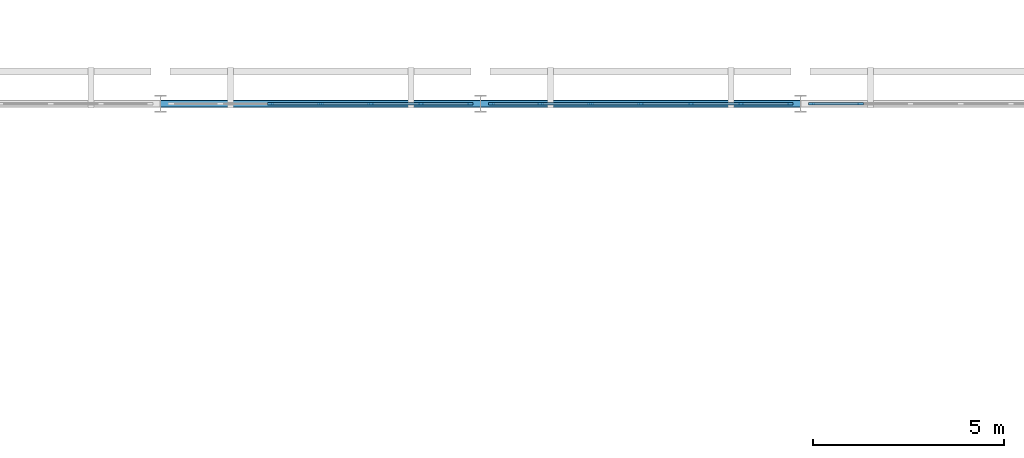
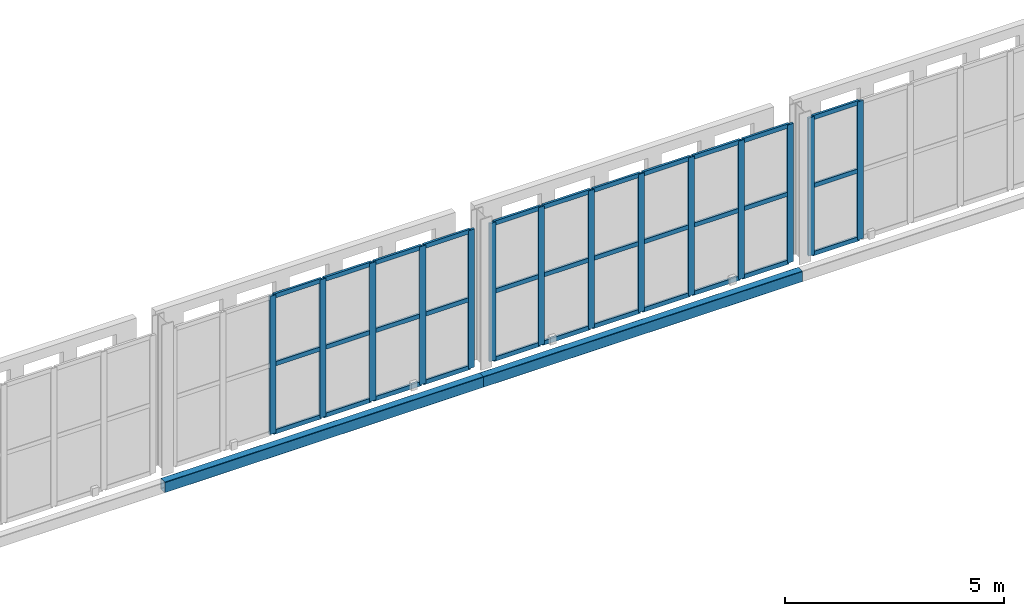
# One storey, part 62 of 140: 47 members, 2 beams, 3 elements without a shape of their own.
"""IFC4 building model written with IfcOpenShell, lengths in metres."""

from ifc_helpers import new_model, si_unit, direction, frame, origin, origin_2d, place, context, subcontext, project, spatial, rectangle, hollow_rectangle, extrude, material, layer, layer_set, material_profile, profile_set, type_object, element, aggregate, save


model = new_model("IFC4")

# Units and contexts
model_context = context("Model", 3, precision=1e-05, world=origin(), true_north=direction((0.0, 1.0)))
body_context = subcontext(model_context, "Body", "Model", "MODEL_VIEW")
ifc_project = project(units=[si_unit("LENGTHUNIT", "METRE"), si_unit("AREAUNIT", "SQUARE_METRE"), si_unit("VOLUMEUNIT", "CUBIC_METRE"), si_unit("PLANEANGLEUNIT", "RADIAN"), si_unit("MASSUNIT", "GRAM", prefix="KILO")], contexts=[model_context])

# Site, building, storey
site_placement = place(None, origin())
site = spatial("IfcSite", under=ifc_project, at=site_placement, CompositionType="ELEMENT")
building_placement = place(site_placement, origin())
building = spatial("IfcBuilding", under=site, at=building_placement, Name="Varnapada Polytechnic", CompositionType="ELEMENT")
storey_placement = place(building_placement, frame((0.0, 0.0, 13.800048828125)))
storey = spatial("IfcBuildingStorey", under=building, at=storey_placement, Name="L03", CompositionType="ELEMENT", Elevation=13.800048828125)

# Curtain wall, members
ifc_material_1 = material(Name="Double low-E laminated glass", Category="glass")
ifc_layer = layer(ifc_material_1, 0.159912109375)
ifc_layer_set = layer_set([ifc_layer], Name="Double low-E laminated glass")
curtain_wall_type = type_object("IfcCurtainWallType", Name="Curtain Wall CW-02", PredefinedType="NOTDEFINED", material=ifc_layer_set)
curtain_wall_1_placement = place(storey_placement, origin())
curtain_wall_1 = element("IfcCurtainWall", 1, at=curtain_wall_1_placement, inside=storey, type_object=curtain_wall_type, Name="L03 high-bay workshop north curtain wall 12", PredefinedType="NOTDEFINED")
ifc_material_2 = material(Name="Anodised aluminium", Category="aluminium")
ifc_material_profile_1 = material_profile(ifc_material_2, rectangle(XDim=0.06005859375, YDim=0.159912109375, at=origin_2d()), Name="ALU M60x160")
ifc_profile_set_1 = profile_set([ifc_material_profile_1], Name="Anodised aluminium")
member_type_1 = type_object("IfcMemberType", Name="Mullion M-01", PredefinedType="MULLION", material=ifc_profile_set_1)
member_1_placement = place(storey_placement, frame((95.283447265625, 126.0, 0.0), z_axis=(0.0, 0.0, 1.0), x_axis=(0.0, 1.0, 0.0)))
member_1 = element("IfcMember", 2, at=member_1_placement, type_object=member_type_1, Name="CW-02 mullion 3", PredefinedType="MULLION", context=body_context, shape_type="SweptSolid", body=[
    extrude(rectangle(XDim=0.06005859375, YDim=0.159912109375, at=origin_2d()), origin(), (0.0, 0.0, 1.0), 3.849853515625),
])
member_2_placement = place(storey_placement, frame((96.60009765625, 126.0, 0.0), z_axis=(0.0, 0.0, 1.0), x_axis=(0.0, 1.0, 0.0)))
member_2 = element("IfcMember", 3, at=member_2_placement, type_object=member_type_1, Name="CW-02 mullion 4", PredefinedType="MULLION", context=body_context, shape_type="SweptSolid", body=[
    extrude(rectangle(XDim=0.06005859375, YDim=0.159912109375, at=origin_2d()), origin(), (0.0, 0.0, 1.0), 3.849853515625),
])
member_3_placement = place(storey_placement, frame((97.916748046875, 126.0, 0.0), z_axis=(0.0, 0.0, 1.0), x_axis=(0.0, 1.0, 0.0)))
member_3 = element("IfcMember", 4, at=member_3_placement, type_object=member_type_1, Name="CW-02 mullion 5", PredefinedType="MULLION", context=body_context, shape_type="SweptSolid", body=[
    extrude(rectangle(XDim=0.06005859375, YDim=0.159912109375, at=origin_2d()), origin(), (0.0, 0.0, 1.0), 3.849853515625),
])
member_4_placement = place(storey_placement, frame((99.2333984375, 126.0, 0.0), z_axis=(0.0, 0.0, 1.0), x_axis=(0.0, 1.0, 0.0)))
member_4 = element("IfcMember", 5, at=member_4_placement, type_object=member_type_1, Name="CW-02 mullion 6", PredefinedType="MULLION", context=body_context, shape_type="SweptSolid", body=[
    extrude(rectangle(XDim=0.06005859375, YDim=0.159912109375, at=origin_2d()), origin(), (0.0, 0.0, 1.0), 3.849853515625),
])
member_5_placement = place(storey_placement, frame((100.52001953125, 126.0, 0.0), z_axis=(0.0, 0.0, 1.0), x_axis=(0.0, 1.0, 0.0)))
member_5 = element("IfcMember", 6, at=member_5_placement, type_object=member_type_1, Name="CW-02 mullion 7", PredefinedType="MULLION", context=body_context, shape_type="SweptSolid", body=[
    extrude(rectangle(XDim=0.06005859375, YDim=0.159912109375, at=origin_2d()), origin(), (0.0, 0.0, 1.0), 3.849853515625),
])

curtain_wall_2_placement = place(storey_placement, origin())
curtain_wall_2 = element("IfcCurtainWall", 7, at=curtain_wall_2_placement, inside=storey, type_object=curtain_wall_type, Name="L03 high-bay workshop north curtain wall 13", PredefinedType="NOTDEFINED")
member_6_placement = place(storey_placement, frame((101.080078125, 126.0, 0.0), z_axis=(0.0, 0.0, 1.0), x_axis=(0.0, 1.0, 0.0)))
member_6 = element("IfcMember", 8, at=member_6_placement, type_object=member_type_1, Name="CW-02 mullion 1", PredefinedType="MULLION", context=body_context, shape_type="SweptSolid", body=[
    extrude(rectangle(XDim=0.06005859375, YDim=0.159912109375, at=origin_2d()), origin(), (0.0, 0.0, 1.0), 3.849853515625),
])
member_7_placement = place(storey_placement, frame((102.36669921875, 126.0, 0.0), z_axis=(0.0, 0.0, 1.0), x_axis=(0.0, 1.0, 0.0)))
member_7 = element("IfcMember", 9, at=member_7_placement, type_object=member_type_1, Name="CW-02 mullion 2", PredefinedType="MULLION", context=body_context, shape_type="SweptSolid", body=[
    extrude(rectangle(XDim=0.06005859375, YDim=0.159912109375, at=origin_2d()), origin(), (0.0, 0.0, 1.0), 3.849853515625),
])
member_8_placement = place(storey_placement, frame((103.683349609375, 126.0, 0.0), z_axis=(0.0, 0.0, 1.0), x_axis=(0.0, 1.0, 0.0)))
member_8 = element("IfcMember", 10, at=member_8_placement, type_object=member_type_1, Name="CW-02 mullion 3", PredefinedType="MULLION", context=body_context, shape_type="SweptSolid", body=[
    extrude(rectangle(XDim=0.06005859375, YDim=0.159912109375, at=origin_2d()), origin(), (0.0, 0.0, 1.0), 3.849853515625),
])
member_9_placement = place(storey_placement, frame((105.0, 126.0, 0.0), z_axis=(0.0, 0.0, 1.0), x_axis=(0.0, 1.0, 0.0)))
member_9 = element("IfcMember", 11, at=member_9_placement, type_object=member_type_1, Name="CW-02 mullion 4", PredefinedType="MULLION", context=body_context, shape_type="SweptSolid", body=[
    extrude(rectangle(XDim=0.06005859375, YDim=0.159912109375, at=origin_2d()), origin(), (0.0, 0.0, 1.0), 3.849853515625),
])
member_10_placement = place(storey_placement, frame((106.316650390625, 126.0, 0.0), z_axis=(0.0, 0.0, 1.0), x_axis=(0.0, 1.0, 0.0)))
member_10 = element("IfcMember", 12, at=member_10_placement, type_object=member_type_1, Name="CW-02 mullion 5", PredefinedType="MULLION", context=body_context, shape_type="SweptSolid", body=[
    extrude(rectangle(XDim=0.06005859375, YDim=0.159912109375, at=origin_2d()), origin(), (0.0, 0.0, 1.0), 3.849853515625),
])
member_11_placement = place(storey_placement, frame((107.63330078125, 126.0, 0.0), z_axis=(0.0, 0.0, 1.0), x_axis=(0.0, 1.0, 0.0)))
member_11 = element("IfcMember", 13, at=member_11_placement, type_object=member_type_1, Name="CW-02 mullion 6", PredefinedType="MULLION", context=body_context, shape_type="SweptSolid", body=[
    extrude(rectangle(XDim=0.06005859375, YDim=0.159912109375, at=origin_2d()), origin(), (0.0, 0.0, 1.0), 3.849853515625),
])
member_12_placement = place(storey_placement, frame((108.919921875, 126.0, 0.0), z_axis=(0.0, 0.0, 1.0), x_axis=(0.0, 1.0, 0.0)))
member_12 = element("IfcMember", 14, at=member_12_placement, type_object=member_type_1, Name="CW-02 mullion 7", PredefinedType="MULLION", context=body_context, shape_type="SweptSolid", body=[
    extrude(rectangle(XDim=0.06005859375, YDim=0.159912109375, at=origin_2d()), origin(), (0.0, 0.0, 1.0), 3.849853515625),
])

curtain_wall_3_placement = place(storey_placement, origin())
curtain_wall_3 = element("IfcCurtainWall", 15, at=curtain_wall_3_placement, inside=storey, type_object=curtain_wall_type, Name="L03 high-bay workshop north curtain wall 14", PredefinedType="NOTDEFINED")
member_13_placement = place(storey_placement, frame((109.47998046875, 126.0, 0.0), z_axis=(0.0, 0.0, 1.0), x_axis=(0.0, 1.0, 0.0)))
member_13 = element("IfcMember", 16, at=member_13_placement, type_object=member_type_1, Name="CW-02 mullion 1", PredefinedType="MULLION", context=body_context, shape_type="SweptSolid", body=[
    extrude(rectangle(XDim=0.06005859375, YDim=0.159912109375, at=origin_2d()), origin(), (0.0, 0.0, 1.0), 3.849853515625),
])
member_14_placement = place(storey_placement, frame((110.7666015625, 126.0, 0.0), z_axis=(0.0, 0.0, 1.0), x_axis=(0.0, 1.0, 0.0)))
member_14 = element("IfcMember", 17, at=member_14_placement, type_object=member_type_1, Name="CW-02 mullion 2", PredefinedType="MULLION", context=body_context, shape_type="SweptSolid", body=[
    extrude(rectangle(XDim=0.06005859375, YDim=0.159912109375, at=origin_2d()), origin(), (0.0, 0.0, 1.0), 3.849853515625),
])

# Member
ifc_material_profile_2 = material_profile(ifc_material_2, rectangle(XDim=0.06005859375, YDim=0.1201171875, at=origin_2d()), Name="ALU T60x120")
ifc_profile_set_2 = profile_set([ifc_material_profile_2], Name="Anodised aluminium")
member_type_2 = type_object("IfcMemberType", Name="Transom T-01", PredefinedType="USERDEFINED", material=ifc_profile_set_2)
member_15_placement = place(storey_placement, frame((95.313232421875, 126.0, 0.030029296875), z_axis=(1.0, 0.0, 0.0), x_axis=(0.0, 1.0, 0.0)))
member_15 = element("IfcMember", 18, at=member_15_placement, type_object=member_type_2, Name="CW-02 transom 3.1", ObjectType="TRANSOM", PredefinedType="USERDEFINED", context=body_context, shape_type="SweptSolid", body=[
    extrude(rectangle(XDim=0.06005859375, YDim=0.1201171875, at=origin_2d()), origin(), (0.0, 0.0, 1.0), 1.2568359375),
])

member_16_placement = place(storey_placement, frame((95.313232421875, 126.0, 1.925048828125), z_axis=(1.0, 0.0, 0.0), x_axis=(0.0, 1.0, 0.0)))
member_16 = element("IfcMember", 19, at=member_16_placement, type_object=member_type_2, Name="CW-02 transom 3.2", ObjectType="TRANSOM", PredefinedType="USERDEFINED", context=body_context, shape_type="SweptSolid", body=[
    extrude(rectangle(XDim=0.06005859375, YDim=0.1201171875, at=origin_2d()), origin(), (0.0, 0.0, 1.0), 1.2568359375),
])

member_17_placement = place(storey_placement, frame((95.313232421875, 126.0, 3.820068359375), z_axis=(1.0, 0.0, 0.0), x_axis=(0.0, 1.0, 0.0)))
member_17 = element("IfcMember", 20, at=member_17_placement, type_object=member_type_2, Name="CW-02 transom 3.3", ObjectType="TRANSOM", PredefinedType="USERDEFINED", context=body_context, shape_type="SweptSolid", body=[
    extrude(rectangle(XDim=0.06005859375, YDim=0.1201171875, at=origin_2d()), origin(), (0.0, 0.0, 1.0), 1.2568359375),
])

member_18_placement = place(storey_placement, frame((96.6298828125, 126.0, 0.030029296875), z_axis=(1.0, 0.0, 0.0), x_axis=(0.0, 1.0, 0.0)))
member_18 = element("IfcMember", 21, at=member_18_placement, type_object=member_type_2, Name="CW-02 transom 4.1", ObjectType="TRANSOM", PredefinedType="USERDEFINED", context=body_context, shape_type="SweptSolid", body=[
    extrude(rectangle(XDim=0.06005859375, YDim=0.1201171875, at=origin_2d()), origin(), (0.0, 0.0, 1.0), 1.2568359375),
])

member_19_placement = place(storey_placement, frame((96.6298828125, 126.0, 1.925048828125), z_axis=(1.0, 0.0, 0.0), x_axis=(0.0, 1.0, 0.0)))
member_19 = element("IfcMember", 22, at=member_19_placement, type_object=member_type_2, Name="CW-02 transom 4.2", ObjectType="TRANSOM", PredefinedType="USERDEFINED", context=body_context, shape_type="SweptSolid", body=[
    extrude(rectangle(XDim=0.06005859375, YDim=0.1201171875, at=origin_2d()), origin(), (0.0, 0.0, 1.0), 1.2568359375),
])

member_20_placement = place(storey_placement, frame((96.6298828125, 126.0, 3.820068359375), z_axis=(1.0, 0.0, 0.0), x_axis=(0.0, 1.0, 0.0)))
member_20 = element("IfcMember", 23, at=member_20_placement, type_object=member_type_2, Name="CW-02 transom 4.3", ObjectType="TRANSOM", PredefinedType="USERDEFINED", context=body_context, shape_type="SweptSolid", body=[
    extrude(rectangle(XDim=0.06005859375, YDim=0.1201171875, at=origin_2d()), origin(), (0.0, 0.0, 1.0), 1.2568359375),
])

member_21_placement = place(storey_placement, frame((97.94677734375, 126.0, 0.030029296875), z_axis=(1.0, 0.0, 0.0), x_axis=(0.0, 1.0, 0.0)))
member_21 = element("IfcMember", 24, at=member_21_placement, type_object=member_type_2, Name="CW-02 transom 5.1", ObjectType="TRANSOM", PredefinedType="USERDEFINED", context=body_context, shape_type="SweptSolid", body=[
    extrude(rectangle(XDim=0.06005859375, YDim=0.1201171875, at=origin_2d()), origin(), (0.0, 0.0, 1.0), 1.256591796875),
])

member_22_placement = place(storey_placement, frame((97.94677734375, 126.0, 1.925048828125), z_axis=(1.0, 0.0, 0.0), x_axis=(0.0, 1.0, 0.0)))
member_22 = element("IfcMember", 25, at=member_22_placement, type_object=member_type_2, Name="CW-02 transom 5.2", ObjectType="TRANSOM", PredefinedType="USERDEFINED", context=body_context, shape_type="SweptSolid", body=[
    extrude(rectangle(XDim=0.06005859375, YDim=0.1201171875, at=origin_2d()), origin(), (0.0, 0.0, 1.0), 1.256591796875),
])

member_23_placement = place(storey_placement, frame((97.94677734375, 126.0, 3.820068359375), z_axis=(1.0, 0.0, 0.0), x_axis=(0.0, 1.0, 0.0)))
member_23 = element("IfcMember", 26, at=member_23_placement, type_object=member_type_2, Name="CW-02 transom 5.3", ObjectType="TRANSOM", PredefinedType="USERDEFINED", context=body_context, shape_type="SweptSolid", body=[
    extrude(rectangle(XDim=0.06005859375, YDim=0.1201171875, at=origin_2d()), origin(), (0.0, 0.0, 1.0), 1.256591796875),
])

member_24_placement = place(storey_placement, frame((99.263427734375, 126.0, 0.030029296875), z_axis=(1.0, 0.0, 0.0), x_axis=(0.0, 1.0, 0.0)))
member_24 = element("IfcMember", 27, at=member_24_placement, type_object=member_type_2, Name="CW-02 transom 6.1", ObjectType="TRANSOM", PredefinedType="USERDEFINED", context=body_context, shape_type="SweptSolid", body=[
    extrude(rectangle(XDim=0.06005859375, YDim=0.1201171875, at=origin_2d()), origin(), (0.0, 0.0, 1.0), 1.2265625),
])

member_25_placement = place(storey_placement, frame((99.263427734375, 126.0, 1.925048828125), z_axis=(1.0, 0.0, 0.0), x_axis=(0.0, 1.0, 0.0)))
member_25 = element("IfcMember", 28, at=member_25_placement, type_object=member_type_2, Name="CW-02 transom 6.2", ObjectType="TRANSOM", PredefinedType="USERDEFINED", context=body_context, shape_type="SweptSolid", body=[
    extrude(rectangle(XDim=0.06005859375, YDim=0.1201171875, at=origin_2d()), origin(), (0.0, 0.0, 1.0), 1.2265625),
])

member_26_placement = place(storey_placement, frame((99.263427734375, 126.0, 3.820068359375), z_axis=(1.0, 0.0, 0.0), x_axis=(0.0, 1.0, 0.0)))
member_26 = element("IfcMember", 29, at=member_26_placement, type_object=member_type_2, Name="CW-02 transom 6.3", ObjectType="TRANSOM", PredefinedType="USERDEFINED", context=body_context, shape_type="SweptSolid", body=[
    extrude(rectangle(XDim=0.06005859375, YDim=0.1201171875, at=origin_2d()), origin(), (0.0, 0.0, 1.0), 1.2265625),
])

aggregate(curtain_wall_1, [member_1, member_2, member_3, member_4, member_5, member_15, member_16, member_17, member_18, member_19, member_20, member_21, member_22, member_23, member_24, member_25, member_26])

member_27_placement = place(storey_placement, frame((101.110107421875, 126.0, 0.030029296875), z_axis=(1.0, 0.0, 0.0), x_axis=(0.0, 1.0, 0.0)))
member_27 = element("IfcMember", 30, at=member_27_placement, type_object=member_type_2, Name="CW-02 transom 1.1", ObjectType="TRANSOM", PredefinedType="USERDEFINED", context=body_context, shape_type="SweptSolid", body=[
    extrude(rectangle(XDim=0.06005859375, YDim=0.1201171875, at=origin_2d()), origin(), (0.0, 0.0, 1.0), 1.2265625),
])

member_28_placement = place(storey_placement, frame((101.110107421875, 126.0, 1.925048828125), z_axis=(1.0, 0.0, 0.0), x_axis=(0.0, 1.0, 0.0)))
member_28 = element("IfcMember", 31, at=member_28_placement, type_object=member_type_2, Name="CW-02 transom 1.2", ObjectType="TRANSOM", PredefinedType="USERDEFINED", context=body_context, shape_type="SweptSolid", body=[
    extrude(rectangle(XDim=0.06005859375, YDim=0.1201171875, at=origin_2d()), origin(), (0.0, 0.0, 1.0), 1.2265625),
])

member_29_placement = place(storey_placement, frame((101.110107421875, 126.0, 3.820068359375), z_axis=(1.0, 0.0, 0.0), x_axis=(0.0, 1.0, 0.0)))
member_29 = element("IfcMember", 32, at=member_29_placement, type_object=member_type_2, Name="CW-02 transom 1.3", ObjectType="TRANSOM", PredefinedType="USERDEFINED", context=body_context, shape_type="SweptSolid", body=[
    extrude(rectangle(XDim=0.06005859375, YDim=0.1201171875, at=origin_2d()), origin(), (0.0, 0.0, 1.0), 1.2265625),
])

member_30_placement = place(storey_placement, frame((102.396728515625, 126.0, 0.030029296875), z_axis=(1.0, 0.0, 0.0), x_axis=(0.0, 1.0, 0.0)))
member_30 = element("IfcMember", 33, at=member_30_placement, type_object=member_type_2, Name="CW-02 transom 2.1", ObjectType="TRANSOM", PredefinedType="USERDEFINED", context=body_context, shape_type="SweptSolid", body=[
    extrude(rectangle(XDim=0.06005859375, YDim=0.1201171875, at=origin_2d()), origin(), (0.0, 0.0, 1.0), 1.256591796875),
])

member_31_placement = place(storey_placement, frame((102.396728515625, 126.0, 1.925048828125), z_axis=(1.0, 0.0, 0.0), x_axis=(0.0, 1.0, 0.0)))
member_31 = element("IfcMember", 34, at=member_31_placement, type_object=member_type_2, Name="CW-02 transom 2.2", ObjectType="TRANSOM", PredefinedType="USERDEFINED", context=body_context, shape_type="SweptSolid", body=[
    extrude(rectangle(XDim=0.06005859375, YDim=0.1201171875, at=origin_2d()), origin(), (0.0, 0.0, 1.0), 1.256591796875),
])

member_32_placement = place(storey_placement, frame((102.396728515625, 126.0, 3.820068359375), z_axis=(1.0, 0.0, 0.0), x_axis=(0.0, 1.0, 0.0)))
member_32 = element("IfcMember", 35, at=member_32_placement, type_object=member_type_2, Name="CW-02 transom 2.3", ObjectType="TRANSOM", PredefinedType="USERDEFINED", context=body_context, shape_type="SweptSolid", body=[
    extrude(rectangle(XDim=0.06005859375, YDim=0.1201171875, at=origin_2d()), origin(), (0.0, 0.0, 1.0), 1.256591796875),
])

member_33_placement = place(storey_placement, frame((103.71337890625, 126.0, 0.030029296875), z_axis=(1.0, 0.0, 0.0), x_axis=(0.0, 1.0, 0.0)))
member_33 = element("IfcMember", 36, at=member_33_placement, type_object=member_type_2, Name="CW-02 transom 3.1", ObjectType="TRANSOM", PredefinedType="USERDEFINED", context=body_context, shape_type="SweptSolid", body=[
    extrude(rectangle(XDim=0.06005859375, YDim=0.1201171875, at=origin_2d()), origin(), (0.0, 0.0, 1.0), 1.256591796875),
])

member_34_placement = place(storey_placement, frame((103.71337890625, 126.0, 1.925048828125), z_axis=(1.0, 0.0, 0.0), x_axis=(0.0, 1.0, 0.0)))
member_34 = element("IfcMember", 37, at=member_34_placement, type_object=member_type_2, Name="CW-02 transom 3.2", ObjectType="TRANSOM", PredefinedType="USERDEFINED", context=body_context, shape_type="SweptSolid", body=[
    extrude(rectangle(XDim=0.06005859375, YDim=0.1201171875, at=origin_2d()), origin(), (0.0, 0.0, 1.0), 1.256591796875),
])

member_35_placement = place(storey_placement, frame((103.71337890625, 126.0, 3.820068359375), z_axis=(1.0, 0.0, 0.0), x_axis=(0.0, 1.0, 0.0)))
member_35 = element("IfcMember", 38, at=member_35_placement, type_object=member_type_2, Name="CW-02 transom 3.3", ObjectType="TRANSOM", PredefinedType="USERDEFINED", context=body_context, shape_type="SweptSolid", body=[
    extrude(rectangle(XDim=0.06005859375, YDim=0.1201171875, at=origin_2d()), origin(), (0.0, 0.0, 1.0), 1.256591796875),
])

member_36_placement = place(storey_placement, frame((105.030029296875, 126.0, 0.030029296875), z_axis=(1.0, 0.0, 0.0), x_axis=(0.0, 1.0, 0.0)))
member_36 = element("IfcMember", 39, at=member_36_placement, type_object=member_type_2, Name="CW-02 transom 4.1", ObjectType="TRANSOM", PredefinedType="USERDEFINED", context=body_context, shape_type="SweptSolid", body=[
    extrude(rectangle(XDim=0.06005859375, YDim=0.1201171875, at=origin_2d()), origin(), (0.0, 0.0, 1.0), 1.256591796875),
])

member_37_placement = place(storey_placement, frame((105.030029296875, 126.0, 1.925048828125), z_axis=(1.0, 0.0, 0.0), x_axis=(0.0, 1.0, 0.0)))
member_37 = element("IfcMember", 40, at=member_37_placement, type_object=member_type_2, Name="CW-02 transom 4.2", ObjectType="TRANSOM", PredefinedType="USERDEFINED", context=body_context, shape_type="SweptSolid", body=[
    extrude(rectangle(XDim=0.06005859375, YDim=0.1201171875, at=origin_2d()), origin(), (0.0, 0.0, 1.0), 1.256591796875),
])

member_38_placement = place(storey_placement, frame((105.030029296875, 126.0, 3.820068359375), z_axis=(1.0, 0.0, 0.0), x_axis=(0.0, 1.0, 0.0)))
member_38 = element("IfcMember", 41, at=member_38_placement, type_object=member_type_2, Name="CW-02 transom 4.3", ObjectType="TRANSOM", PredefinedType="USERDEFINED", context=body_context, shape_type="SweptSolid", body=[
    extrude(rectangle(XDim=0.06005859375, YDim=0.1201171875, at=origin_2d()), origin(), (0.0, 0.0, 1.0), 1.256591796875),
])

member_39_placement = place(storey_placement, frame((106.3466796875, 126.0, 0.030029296875), z_axis=(1.0, 0.0, 0.0), x_axis=(0.0, 1.0, 0.0)))
member_39 = element("IfcMember", 42, at=member_39_placement, type_object=member_type_2, Name="CW-02 transom 5.1", ObjectType="TRANSOM", PredefinedType="USERDEFINED", context=body_context, shape_type="SweptSolid", body=[
    extrude(rectangle(XDim=0.06005859375, YDim=0.1201171875, at=origin_2d()), origin(), (0.0, 0.0, 1.0), 1.256591796875),
])

member_40_placement = place(storey_placement, frame((106.3466796875, 126.0, 1.925048828125), z_axis=(1.0, 0.0, 0.0), x_axis=(0.0, 1.0, 0.0)))
member_40 = element("IfcMember", 43, at=member_40_placement, type_object=member_type_2, Name="CW-02 transom 5.2", ObjectType="TRANSOM", PredefinedType="USERDEFINED", context=body_context, shape_type="SweptSolid", body=[
    extrude(rectangle(XDim=0.06005859375, YDim=0.1201171875, at=origin_2d()), origin(), (0.0, 0.0, 1.0), 1.256591796875),
])

member_41_placement = place(storey_placement, frame((106.3466796875, 126.0, 3.820068359375), z_axis=(1.0, 0.0, 0.0), x_axis=(0.0, 1.0, 0.0)))
member_41 = element("IfcMember", 44, at=member_41_placement, type_object=member_type_2, Name="CW-02 transom 5.3", ObjectType="TRANSOM", PredefinedType="USERDEFINED", context=body_context, shape_type="SweptSolid", body=[
    extrude(rectangle(XDim=0.06005859375, YDim=0.1201171875, at=origin_2d()), origin(), (0.0, 0.0, 1.0), 1.256591796875),
])

member_42_placement = place(storey_placement, frame((107.663330078125, 126.0, 0.030029296875), z_axis=(1.0, 0.0, 0.0), x_axis=(0.0, 1.0, 0.0)))
member_42 = element("IfcMember", 45, at=member_42_placement, type_object=member_type_2, Name="CW-02 transom 6.1", ObjectType="TRANSOM", PredefinedType="USERDEFINED", context=body_context, shape_type="SweptSolid", body=[
    extrude(rectangle(XDim=0.06005859375, YDim=0.1201171875, at=origin_2d()), origin(), (0.0, 0.0, 1.0), 1.2265625),
])

member_43_placement = place(storey_placement, frame((107.663330078125, 126.0, 1.925048828125), z_axis=(1.0, 0.0, 0.0), x_axis=(0.0, 1.0, 0.0)))
member_43 = element("IfcMember", 46, at=member_43_placement, type_object=member_type_2, Name="CW-02 transom 6.2", ObjectType="TRANSOM", PredefinedType="USERDEFINED", context=body_context, shape_type="SweptSolid", body=[
    extrude(rectangle(XDim=0.06005859375, YDim=0.1201171875, at=origin_2d()), origin(), (0.0, 0.0, 1.0), 1.2265625),
])

member_44_placement = place(storey_placement, frame((107.663330078125, 126.0, 3.820068359375), z_axis=(1.0, 0.0, 0.0), x_axis=(0.0, 1.0, 0.0)))
member_44 = element("IfcMember", 47, at=member_44_placement, type_object=member_type_2, Name="CW-02 transom 6.3", ObjectType="TRANSOM", PredefinedType="USERDEFINED", context=body_context, shape_type="SweptSolid", body=[
    extrude(rectangle(XDim=0.06005859375, YDim=0.1201171875, at=origin_2d()), origin(), (0.0, 0.0, 1.0), 1.2265625),
])

aggregate(curtain_wall_2, [member_6, member_7, member_8, member_9, member_10, member_11, member_12, member_27, member_28, member_29, member_30, member_31, member_32, member_33, member_34, member_35, member_36, member_37, member_38, member_39, member_40, member_41, member_42, member_43, member_44])

member_45_placement = place(storey_placement, frame((109.510009765625, 126.0, 0.030029296875), z_axis=(1.0, 0.0, 0.0), x_axis=(0.0, 1.0, 0.0)))
member_45 = element("IfcMember", 48, at=member_45_placement, type_object=member_type_2, Name="CW-02 transom 1.1", ObjectType="TRANSOM", PredefinedType="USERDEFINED", context=body_context, shape_type="SweptSolid", body=[
    extrude(rectangle(XDim=0.06005859375, YDim=0.1201171875, at=origin_2d()), origin(), (0.0, 0.0, 1.0), 1.2265625),
])

member_46_placement = place(storey_placement, frame((109.510009765625, 126.0, 1.925048828125), z_axis=(1.0, 0.0, 0.0), x_axis=(0.0, 1.0, 0.0)))
member_46 = element("IfcMember", 49, at=member_46_placement, type_object=member_type_2, Name="CW-02 transom 1.2", ObjectType="TRANSOM", PredefinedType="USERDEFINED", context=body_context, shape_type="SweptSolid", body=[
    extrude(rectangle(XDim=0.06005859375, YDim=0.1201171875, at=origin_2d()), origin(), (0.0, 0.0, 1.0), 1.2265625),
])

member_47_placement = place(storey_placement, frame((109.510009765625, 126.0, 3.820068359375), z_axis=(1.0, 0.0, 0.0), x_axis=(0.0, 1.0, 0.0)))
member_47 = element("IfcMember", 50, at=member_47_placement, type_object=member_type_2, Name="CW-02 transom 1.3", ObjectType="TRANSOM", PredefinedType="USERDEFINED", context=body_context, shape_type="SweptSolid", body=[
    extrude(rectangle(XDim=0.06005859375, YDim=0.1201171875, at=origin_2d()), origin(), (0.0, 0.0, 1.0), 1.2265625),
])

aggregate(curtain_wall_3, [member_13, member_14, member_45, member_46, member_47])

# Beams
ifc_material_3 = material(Name="Steel S355", Category="steel")
ifc_material_profile_3 = material_profile(ifc_material_3, hollow_rectangle(XDim=0.199951171875, YDim=0.300048828125, WallThickness=0.010009765625, InnerFilletRadius=0.010009765625, OuterFilletRadius=0.02001953125, at=origin_2d()), Name="RHS 300x200x10")
ifc_profile_set_3 = profile_set([ifc_material_profile_3], Name="Steel S355")
beam_type = type_object("IfcBeamType", Name="Workshop steel spandrel tie SP-03 (RHS 300x200x10)", PredefinedType="SPANDREL", material=ifc_profile_set_3)
beam_1_placement = place(storey_placement, frame((92.39990234375, 126.0, -0.449951171875), z_axis=(1.0, 0.0, 0.0), x_axis=(0.0, 1.0, 0.0)))
element("IfcBeam", 51, at=beam_1_placement, inside=storey, type_object=beam_type, Name="L03 workshop clerestory tie X12-13 Y16", PredefinedType="SPANDREL", context=body_context, shape_type="SweptSolid", body=[
    extrude(hollow_rectangle(XDim=0.199951171875, YDim=0.300048828125, WallThickness=0.010009765625, InnerFilletRadius=0.010009765625, OuterFilletRadius=0.02001953125, at=origin_2d()), origin(), (0.0, 0.0, 1.0), 8.400146484375),
])
beam_2_placement = place(storey_placement, frame((100.800048828125, 126.0, -0.449951171875), z_axis=(1.0, 0.0, 0.0), x_axis=(0.0, 1.0, 0.0)))
element("IfcBeam", 52, at=beam_2_placement, inside=storey, type_object=beam_type, Name="L03 workshop clerestory tie X13-14 Y16", PredefinedType="SPANDREL", context=body_context, shape_type="SweptSolid", body=[
    extrude(hollow_rectangle(XDim=0.199951171875, YDim=0.300048828125, WallThickness=0.010009765625, InnerFilletRadius=0.010009765625, OuterFilletRadius=0.02001953125, at=origin_2d()), origin(), (0.0, 0.0, 1.0), 8.39990234375),
])

save(model, "model.ifc")
